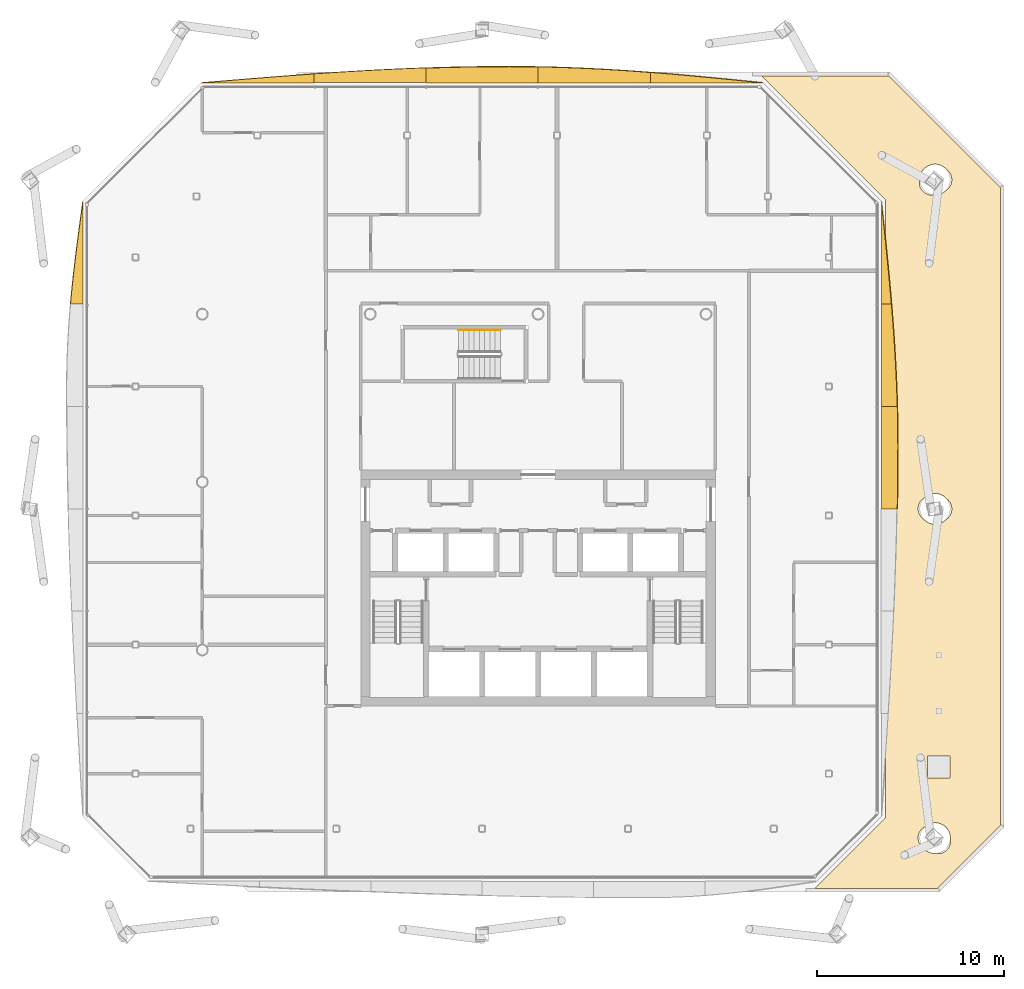
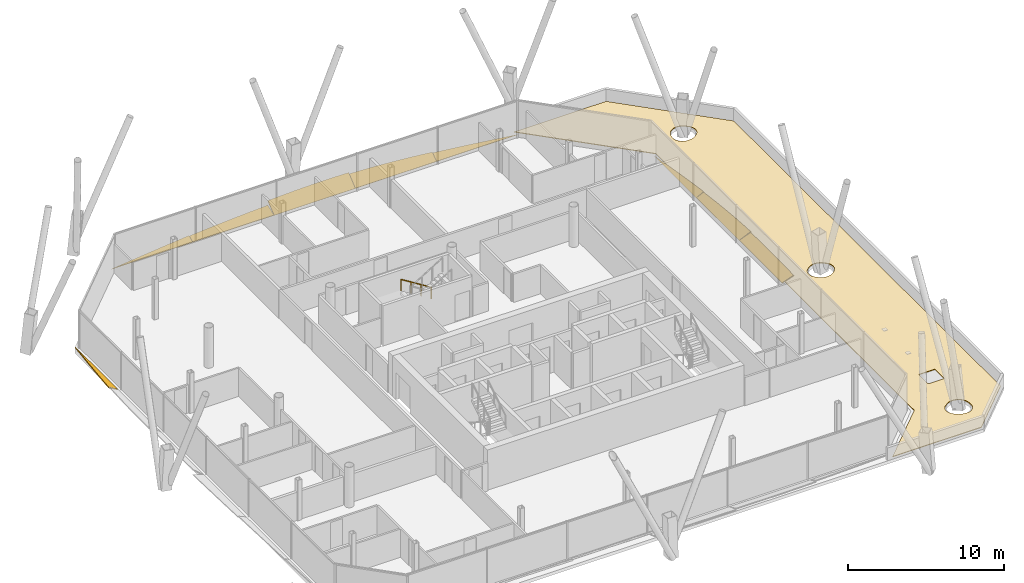
# One storey, part 20 of 21: 9 shading devices, 1 covering, 1 railing.
"""IFC4 building model written with IfcOpenShell, lengths in metres."""

from ifc_helpers import new_model, si_unit, direction, frame, origin, origin_2d, place, context, subcontext, project, spatial, polyline, circle, outline, extrude, material, layer, layer_set, type_object, element, save


model = new_model("IFC4")

# Units and contexts
model_context = context("Model", 3, precision=1e-05, world=origin(), true_north=direction((0.0, 1.0)))
body_context = subcontext(model_context, "Body", "Model", "MODEL_VIEW")
ifc_project = project(units=[si_unit("LENGTHUNIT", "METRE"), si_unit("AREAUNIT", "SQUARE_METRE"), si_unit("VOLUMEUNIT", "CUBIC_METRE"), si_unit("PLANEANGLEUNIT", "RADIAN"), si_unit("MASSUNIT", "GRAM", prefix="KILO")], contexts=[model_context])

# Site, building, storey
site_placement = place(None, origin())
site = spatial("IfcSite", under=ifc_project, at=site_placement, CompositionType="ELEMENT")
building_placement = place(site_placement, origin())
building = spatial("IfcBuilding", under=site, at=building_placement, Name="Tskaro Facet Tower", CompositionType="ELEMENT")
storey_placement = place(building_placement, frame((0.0, 0.0, 172.199951171875)))
storey = spatial("IfcBuildingStorey", under=building, at=storey_placement, Name="L42", CompositionType="ELEMENT", Elevation=172.199951171875)

# Shading devices
ifc_material_1 = material(Name="Bronze anodised aluminium 6063-T6", Category="aluminium")
ifc_layer_1 = layer(ifc_material_1, 0.06005859375, Name="Bronze anodised aluminium 6063-T6")
ifc_layer_set_1 = layer_set([ifc_layer_1], Name="Bronze anodised aluminium 6063-T6")
shading_device_type = type_object("IfcShadingDeviceType", Name="Bronze sun blade (FN1)", PredefinedType="USERDEFINED", material=ifc_layer_set_1)
shading_device_1_placement = place(storey_placement, frame((18.405517578125, -1.4345703125, 0.056396484375), z_axis=(-0.342101149793, -7.684835e-06, 0.939663132857), x_axis=(-2.628991e-06, 0.99999999997, 7.221156e-06)))
element("IfcShadingDevice", 1, at=shading_device_1_placement, inside=storey, type_object=shading_device_type, Name="Fin blade east 4", ObjectType="FIN", PredefinedType="USERDEFINED", context=body_context, shape_type="SweptSolid", body=[
    extrude(outline(polyline([(0.0, 0.0), (5.48999023421289, 0.0), (5.489990234623639, -0.8997663523151195), (4.80371093788125, -0.9161401569579982), (4.117431640676304, -0.926256435834893), (3.431152343650649, -0.929885779001252), (3.359863281152754, -0.929885779001252), (2.7448730458373323, -0.9288010976459917), (2.0588378904203535, -0.9249423445350806), (1.372558593744907, -0.9184554088245448), (0.6862792970778285, -0.9091108805698321), (-2.2272556332198442e-10, -0.8971381697154948), (0.0, 0.0)])), origin(), (0.0, 0.0, -1.0), 0.06005859375),
])
shading_device_2_placement = place(storey_placement, frame((18.400634765625, 4.055419921875, 0.054443359375), z_axis=(-0.422539455645, 3.004821e-06, 0.906344530747), x_axis=(1.269655e-06, 0.999999999995, -2.723403e-06)))
element("IfcShadingDevice", 2, at=shading_device_2_placement, inside=storey, type_object=shading_device_type, Name="Fin blade east 5", ObjectType="FIN", PredefinedType="USERDEFINED", context=body_context, shape_type="SweptSolid", body=[
    extrude(outline(polyline([(0.0, 0.0), (5.489746093725216, 0.0), (5.48974609375816, -0.5893730659282878), (4.803466797126689, -0.6502130334069431), (4.117187499879905, -0.7065692037146292), (3.4311523436626206, -0.758013983237566), (2.7448730469148606, -0.8043260964555504), (2.0585937499516525, -0.8452842678483797), (1.3723144531279128, -0.8805640628490625), (0.6860351561336685, -0.9099442059373958), (-5.1163237078368315e-11, -0.933100262546388), (0.0, 0.0)])), origin(), (0.0, 0.0, -1.0), 0.06005859375),
])
shading_device_3_placement = place(storey_placement, frame((18.39599609375, 9.545166015625, 0.052001953125), z_axis=(-0.500129793602, 1.194576e-05, 0.865950454361), x_axis=(5.974431e-06, 0.999999999929, -1.0344436e-05)))
element("IfcShadingDevice", 3, at=shading_device_3_placement, inside=storey, type_object=shading_device_type, Name="Fin blade east 6", ObjectType="FIN", PredefinedType="USERDEFINED", context=body_context, shape_type="SweptSolid", body=[
    extrude(outline(polyline([(0.0, 0.0), (5.4897460933583035, 0.0), (4.8037109366514885, -0.08291296350558053), (4.117431641453483, -0.16515889564003747), (3.43115234294657, -0.24643707103344692), (2.744873045790038, -0.32595835631428544), (2.0585937510507835, -0.4033892357969911), (1.3725585935193845, -0.47788405474091644), (0.6862792969968696, -0.5491986091452616), (-8.089808427037861e-10, -0.6169100716397029), (0.0, 0.0)])), origin(), (0.0, 0.0, -1.0), 0.06005859375),
])
shading_device_4_placement = place(storey_placement, frame((12.034912109375, 21.39599609375, 0.052001953125), z_axis=(1.9109081e-05, -0.500047989683, 0.865997694944), x_axis=(-0.999999999817, -9.555457e-06, 1.654842e-05)))
element("IfcShadingDevice", 4, at=shading_device_4_placement, inside=storey, type_object=shading_device_type, Name="Fin blade north 1", ObjectType="FIN", PredefinedType="USERDEFINED", context=body_context, shape_type="SweptSolid", body=[
    extrude(outline(polyline([(0.0, 0.0), (6.0139160145269885, -1.0187970014509365e-20), (6.0139160167241394, -0.6462232069423559), (5.3457031240228625, -0.5844166664324041), (4.677490235075239, -0.5193405311275607), (4.009277343508254, -0.4510841442176037), (3.341064451029172, -0.37998101294981695), (2.672851561052527, -0.30669815181876936), (2.00463867295271, -0.2317804932902761), (1.3364257803567026, -0.15531738055411468), (0.6682128890119136, -0.07776440288632279), (0.0, 0.0)])), origin(), (0.0, 0.0, -1.0), 0.06005859375),
])
shading_device_5_placement = place(storey_placement, frame((6.02099609375, 21.3916015625, 0.04931640625), z_axis=(-3.772462e-06, -0.573493613259, 0.819210031394), x_axis=(-0.999999999993, 2.163483e-06, -3.090439e-06)))
element("IfcShadingDevice", 5, at=shading_device_5_placement, inside=storey, type_object=shading_device_type, Name="Fin blade north 2", ObjectType="FIN", PredefinedType="USERDEFINED", context=body_context, shape_type="SweptSolid", body=[
    extrude(outline(polyline([(0.0, 0.0), (6.013916015582207, 0.0), (6.013916015506946, -1.04934088800123), (5.345703124884126, -1.03146019131152), (4.677490234486756, -1.0072792468536589), (4.009277343334025, -0.9772780832550703), (3.341064453463132, -0.9413766767864749), (2.6728515626105724, -0.8999950667153995), (2.004638671530846, -0.8529932399526687), (1.3364257810540348, -0.8011112169346748), (0.668212891180138, -0.7443489976614177), (-3.5434879165776746e-10, -0.6831266214004245), (0.0, 0.0)])), origin(), (0.0, 0.0, -1.0), 0.06005859375),
])
shading_device_6_placement = place(storey_placement, frame((0.007080078125, 21.387451171875, 0.0458984375), z_axis=(5.770752e-06, -0.642874071273, 0.765971884897), x_axis=(-0.999999999983, -3.709867e-06, 4.420234e-06)))
element("IfcShadingDevice", 6, at=shading_device_6_placement, inside=storey, type_object=shading_device_type, Name="Fin blade north 3", ObjectType="FIN", PredefinedType="USERDEFINED", context=body_context, shape_type="SweptSolid", body=[
    extrude(outline(polyline([(0.0, 0.0), (6.01416015614986, 0.0), (6.01416015639754, -1.0397435292353725), (5.345947265763806, -1.0674704240573445), (4.677734375033807, -1.0910397873148785), (4.009521484034113, -1.1101076624757007), (3.3413085936704525, -1.1244870446850972), (2.672851562412102, -1.1343649387977819), (2.004638671509053, -1.139741344813755), (1.563720703286683, -1.1407732144105758), (1.3364257812420381, -1.1404292578783022), (0.6682128907439104, -1.1347088953300555), (-1.5875919187797078e-10, -1.1222363006367413), (0.0, 0.0)])), origin(), (0.0, 0.0, -1.0), 0.06005859375),
])
shading_device_7_placement = place(storey_placement, frame((-6.007080078125, 21.405517578125, 0.056396484375), z_axis=(1.8057087e-05, -0.342090963211, 0.93966684126), x_axis=(-0.999999999837, -6.177166e-06, 1.6967646e-05)))
element("IfcShadingDevice", 7, at=shading_device_7_placement, inside=storey, type_object=shading_device_type, Name="Fin blade north 4", ObjectType="FIN", PredefinedType="USERDEFINED", context=body_context, shape_type="SweptSolid", body=[
    extrude(outline(polyline([(0.0, 0.0), (6.013916014644557, -5.093985007254683e-21), (6.013916016169434, -0.50433389897763), (5.345703123820524, -0.5531423832764087), (4.677490232617016, -0.5996356150208617), (4.009277344067005, -0.6435841833610346), (3.3410644525199023, -0.6851339808453031), (2.6728515625, -0.723596774923804), (2.0046386709911035, -0.7594313872964461), (1.336425782517504, -0.7919495854133662), (0.6682128899205158, -0.8215266726728945), (-2.2755695640965846e-09, -0.8474744165251676), (0.0, 0.0)])), origin(), (0.0, 0.0, -1.0), 0.06005859375),
])
shading_device_8_placement = place(storey_placement, frame((-12.02099609375, 21.400634765625, 0.054443359375), z_axis=(1.3659421e-05, -0.422545704959, 0.906341617181), x_axis=(-0.999999999907, -5.77173e-06, 1.2380102e-05)))
element("IfcShadingDevice", 8, at=shading_device_8_placement, inside=storey, type_object=shading_device_type, Name="Fin blade north 5", ObjectType="FIN", PredefinedType="USERDEFINED", context=body_context, shape_type="SweptSolid", body=[
    extrude(outline(polyline([(0.0, 0.0), (6.013916015063963, 5.093985007254683e-21), (5.34570312360687, -0.06138567711581046), (4.677490233558891, -0.12255007942271826), (4.009277343306655, -0.18316877153931124), (3.3410644542592736, -0.2430204786566868), (2.672851563394261, -0.3020020402023354), (2.0046386705073607, -0.3595677459859423), (1.3364257816435423, -0.41592391715252647), (0.6682128905535768, -0.47031852236675414), (-1.1491637506626355e-09, -0.5230759970100374), (0.0, 0.0)])), origin(), (0.0, 0.0, -1.0), 0.06005859375),
])
shading_device_9_placement = place(storey_placement, frame((-24.39599609375, 15.034912109375, 0.052001953125), z_axis=(0.500039018011, -2.7548133e-05, 0.866002875115), x_axis=(-1.3775141e-05, -0.999999999621, -2.3856762e-05)))
element("IfcShadingDevice", 9, at=shading_device_9_placement, inside=storey, type_object=shading_device_type, Name="Fin blade west 1", ObjectType="FIN", PredefinedType="USERDEFINED", context=body_context, shape_type="SweptSolid", body=[
    extrude(outline(polyline([(0.0, 0.0), (5.489746091666917, 0.0), (5.489746096051696, -0.7692586183476939), (4.803466792630928, -0.6941295320370997), (4.117187499883441, -0.6108830671034493), (3.4311523418626684, -0.5204303958669796), (2.7448730449466754, -0.42373930409916893), (2.058593749102514, -0.3222331637316144), (1.3723144561336604, -0.21700184037422232), (0.68603515283171, -0.1091679328304923), (0.0, 0.0)])), origin(), (0.0, 0.0, -1.0), 0.06005859375),
])

# Railing
ifc_material_2 = material(Name="Stainless steel", Category="steel")
railing_type = type_object("IfcRailingType", Name="RL-HANDRAIL-900", PredefinedType="HANDRAIL", material=ifc_material_2)
railing_placement = place(storey_placement, frame((-2.02490234375, 8.14990234375, 0.175048828125)))
element("IfcRailing", 10, at=railing_placement, inside=storey, type_object=railing_type, Name="L42 ST-3 stair handrail 1", PredefinedType="HANDRAIL", context=body_context, shape_type="SweptSolid", body=[
    extrude(circle(Radius=0.02392578125, at=origin_2d()), frame((0.0, 0.0, 0.8759765625), z_axis=(-0.848013881152, 0.0, 0.529974015752), x_axis=(0.0, -1.0, 0.0)), (0.0, 0.0, 1.0), 2.641357421875),
    extrude(circle(Radius=0.02099609375, at=origin_2d()), origin(), (0.0, 0.0, 1.0), 0.851806640625),
    extrude(circle(Radius=0.02099609375, at=origin_2d()), frame((-0.74658203125, 0.0, 0.466552734375)), (0.0, 0.0, 1.0), 0.851806640625),
    extrude(circle(Radius=0.02099609375, at=origin_2d()), frame((-1.493408203125, 0.0, 0.933349609375)), (0.0, 0.0, 1.0), 0.851806640625),
    extrude(circle(Radius=0.02099609375, at=origin_2d()), frame((-2.239990234375, 0.0, 1.39990234375)), (0.0, 0.0, 1.0), 0.851806640625),
])

# Covering
ifc_material_3 = material(Name="Bituminous roofing membrane")
ifc_layer_2 = layer(ifc_material_3, 0.050048828125, Name="Bituminous roofing membrane")
ifc_layer_set_2 = layer_set([ifc_layer_2], Name="Bituminous roofing membrane")
covering_type = type_object("IfcCoveringType", Name="Roof membrane", PredefinedType="ROOFING", material=ifc_layer_set_2)
covering_placement = place(storey_placement, origin())
element("IfcCovering", 11, at=covering_placement, inside=storey, type_object=covering_type, Name="Roof membrane L42 1.1", PredefinedType="ROOFING", context=body_context, shape_type="SweptSolid", body=[
    extrude(outline(polyline([(24.77392578125, 15.7822265625), (24.77392578125, -18.4130859375), (21.4130859375, -21.77392578125), (14.8388671875, -21.77392578125), (18.6259765625, -17.98681640625), (18.6259765625, 15.117919921875), (11.9697265625, 21.77392578125), (18.7822265625, 21.77392578125), (24.77392578125, 15.7822265625)]), holes=[polyline([(22.056396484375, -19.5068359375), (22.078857421875, -19.444580078125), (22.0947265625, -19.380126953125), (22.1044921875, -19.314697265625), (22.10791015625, -19.24853515625), (22.1044921875, -19.182373046875), (22.09716796875, -19.13232421875), (22.099609375, -19.083740234375), (22.095458984375, -19.0029296875), (22.083740234375, -18.922607421875), (22.06396484375, -18.84423828125), (22.036865234375, -18.76806640625), (22.002197265625, -18.69482421875), (21.96044921875, -18.625244140625), (21.912353515625, -18.560302734375), (21.85791015625, -18.500244140625), (21.7978515625, -18.446044921875), (21.73291015625, -18.397705078125), (21.663330078125, -18.356201171875), (21.59033203125, -18.321533203125), (21.513916015625, -18.294189453125), (21.435546875, -18.2744140625), (21.35546875, -18.2626953125), (21.274658203125, -18.2587890625), (21.193603515625, -18.2626953125), (21.113525390625, -18.2744140625), (21.03515625, -18.294189453125), (20.958740234375, -18.321533203125), (20.8857421875, -18.356201171875), (20.816162109375, -18.397705078125), (20.751220703125, -18.446044921875), (20.69140625, -18.500244140625), (20.671142578125, -18.51220703125), (20.617919921875, -18.5517578125), (20.56884765625, -18.59619140625), (20.524169921875, -18.645263671875), (20.48486328125, -18.698486328125), (20.45068359375, -18.75537109375), (20.42236328125, -18.815185546875), (20.400146484375, -18.877685546875), (20.384033203125, -18.94189453125), (20.374267578125, -19.00732421875), (20.37109375, -19.073486328125), (20.374267578125, -19.1396484375), (20.384033203125, -19.205322265625), (20.400146484375, -19.26953125), (20.42236328125, -19.331787109375), (20.45068359375, -19.391845703125), (20.48486328125, -19.448486328125), (20.524169921875, -19.501708984375), (20.56884765625, -19.55078125), (20.617919921875, -19.595458984375), (20.643310546875, -19.6142578125), (20.691162109375, -19.6669921875), (20.751220703125, -19.721435546875), (20.816162109375, -19.76953125), (20.8857421875, -19.811279296875), (20.958740234375, -19.845947265625), (21.03515625, -19.873046875), (21.113525390625, -19.892822265625), (21.193603515625, -19.90478515625), (21.274658203125, -19.90869140625), (21.290283203125, -19.907958984375), (21.301025390625, -19.91064453125), (21.36669921875, -19.92041015625), (21.432861328125, -19.923583984375), (21.4990234375, -19.92041015625), (21.564453125, -19.91064453125), (21.628662109375, -19.89453125), (21.691162109375, -19.8720703125), (21.7509765625, -19.84375), (21.807861328125, -19.809814453125), (21.861083984375, -19.770263671875), (21.91015625, -19.725830078125), (21.95458984375, -19.6767578125), (21.994140625, -19.62353515625), (22.028076171875, -19.566650390625), (22.056396484375, -19.5068359375)]), polyline([(22.126708984375, -1.70263671875), (22.14892578125, -1.640380859375), (22.1650390625, -1.575927734375), (22.1748046875, -1.510498046875), (22.177978515625, -1.4443359375), (22.1748046875, -1.378173828125), (22.1650390625, -1.312744140625), (22.14892578125, -1.248291015625), (22.126708984375, -1.18603515625), (22.098388671875, -1.126220703125), (22.064208984375, -1.0693359375), (22.02490234375, -1.01611328125), (21.98046875, -0.967041015625), (21.93115234375, -0.922607421875), (21.90576171875, -0.903564453125), (21.85791015625, -0.850830078125), (21.7978515625, -0.79638671875), (21.73291015625, -0.748291015625), (21.663330078125, -0.70654296875), (21.59033203125, -0.672119140625), (21.513916015625, -0.644775390625), (21.435546875, -0.625), (21.35546875, -0.61328125), (21.274658203125, -0.609130859375), (21.193603515625, -0.61328125), (21.113525390625, -0.625), (21.03515625, -0.644775390625), (20.958740234375, -0.672119140625), (20.8857421875, -0.70654296875), (20.816162109375, -0.748291015625), (20.751220703125, -0.79638671875), (20.69140625, -0.8505859375), (20.671142578125, -0.86279296875), (20.617919921875, -0.90234375), (20.56884765625, -0.94677734375), (20.524169921875, -0.995849609375), (20.48486328125, -1.049072265625), (20.45068359375, -1.10595703125), (20.42236328125, -1.165771484375), (20.400146484375, -1.228271484375), (20.384033203125, -1.29248046875), (20.374267578125, -1.35791015625), (20.37109375, -1.424072265625), (20.374267578125, -1.490234375), (20.384033203125, -1.555908203125), (20.400146484375, -1.6201171875), (20.42236328125, -1.682373046875), (20.45068359375, -1.742431640625), (20.48486328125, -1.799072265625), (20.524169921875, -1.852294921875), (20.56884765625, -1.9013671875), (20.617919921875, -1.94580078125), (20.643310546875, -1.96484375), (20.691162109375, -2.017578125), (20.751220703125, -2.072021484375), (20.816162109375, -2.1201171875), (20.8857421875, -2.161865234375), (20.958740234375, -2.196533203125), (21.03515625, -2.2236328125), (21.113525390625, -2.243408203125), (21.193603515625, -2.25537109375), (21.274658203125, -2.25927734375), (21.35546875, -2.25537109375), (21.435546875, -2.243408203125), (21.513916015625, -2.2236328125), (21.59033203125, -2.196533203125), (21.663330078125, -2.161865234375), (21.73291015625, -2.1201171875), (21.7978515625, -2.072021484375), (21.857666015625, -2.017822265625), (21.878173828125, -2.005615234375), (21.93115234375, -1.966064453125), (21.98046875, -1.921630859375), (22.02490234375, -1.87255859375), (22.064208984375, -1.8193359375), (22.098388671875, -1.762451171875), (22.126708984375, -1.70263671875)]), polyline([(21.107177734375, 15.38330078125), (21.17333984375, 15.386474609375), (21.2119140625, 15.392333984375), (21.274658203125, 15.38916015625), (21.35546875, 15.39306640625), (21.435546875, 15.405029296875), (21.513916015625, 15.4248046875), (21.59033203125, 15.451904296875), (21.663330078125, 15.486572265625), (21.73291015625, 15.5283203125), (21.7978515625, 15.576416015625), (21.857666015625, 15.630615234375), (21.878173828125, 15.642822265625), (21.93115234375, 15.682373046875), (21.98046875, 15.726806640625), (22.02490234375, 15.77587890625), (22.064208984375, 15.8291015625), (22.098388671875, 15.885986328125), (22.126708984375, 15.94580078125), (22.14892578125, 16.008056640625), (22.1650390625, 16.072509765625), (22.1748046875, 16.137939453125), (22.177978515625, 16.2041015625), (22.1748046875, 16.270263671875), (22.1650390625, 16.335693359375), (22.14892578125, 16.400146484375), (22.126708984375, 16.46240234375), (22.098388671875, 16.522216796875), (22.064208984375, 16.5791015625), (22.02490234375, 16.63232421875), (21.98046875, 16.681396484375), (21.93115234375, 16.725830078125), (21.90576171875, 16.744873046875), (21.85791015625, 16.797607421875), (21.7978515625, 16.85205078125), (21.73291015625, 16.900146484375), (21.663330078125, 16.94189453125), (21.59033203125, 16.976318359375), (21.513916015625, 17.003662109375), (21.435546875, 17.0234375), (21.35546875, 17.03515625), (21.274658203125, 17.039306640625), (21.193603515625, 17.03515625), (21.113525390625, 17.0234375), (21.03515625, 17.003662109375), (20.958740234375, 16.976318359375), (20.8857421875, 16.94189453125), (20.816162109375, 16.900146484375), (20.751220703125, 16.85205078125), (20.691162109375, 16.797607421875), (20.63671875, 16.737548828125), (20.588623046875, 16.672607421875), (20.546875, 16.60302734375), (20.512451171875, 16.530029296875), (20.485107421875, 16.45361328125), (20.46533203125, 16.375244140625), (20.45361328125, 16.295166015625), (20.449462890625, 16.214111328125), (20.449951171875, 16.208251953125), (20.4453125, 16.18994140625), (20.435546875, 16.12451171875), (20.432373046875, 16.058349609375), (20.435546875, 15.9921875), (20.4453125, 15.926513671875), (20.46142578125, 15.8623046875), (20.483642578125, 15.800048828125), (20.511962890625, 15.740234375), (20.546142578125, 15.683349609375), (20.58544921875, 15.630126953125), (20.6298828125, 15.5810546875), (20.67919921875, 15.53662109375), (20.732177734375, 15.4970703125), (20.7890625, 15.462890625), (20.848876953125, 15.4345703125), (20.911376953125, 15.412353515625), (20.9755859375, 15.396240234375), (21.041015625, 15.386474609375), (21.107177734375, 15.38330078125)]), polyline([(22.070068359375, -14.674072265625), (20.8701171875, -14.674072265625), (20.8701171875, -15.8740234375), (22.070068359375, -15.8740234375), (22.070068359375, -14.674072265625)])]), origin(), (0.0, 0.0, 1.0), 0.050048828125),
])

save(model, "model.ifc")
